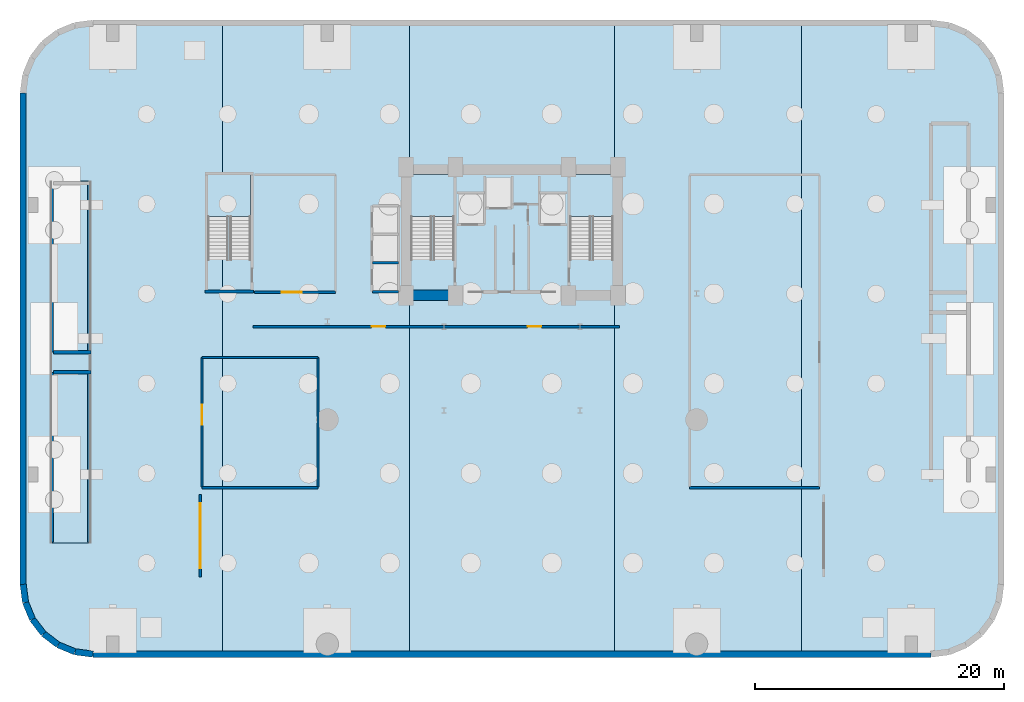
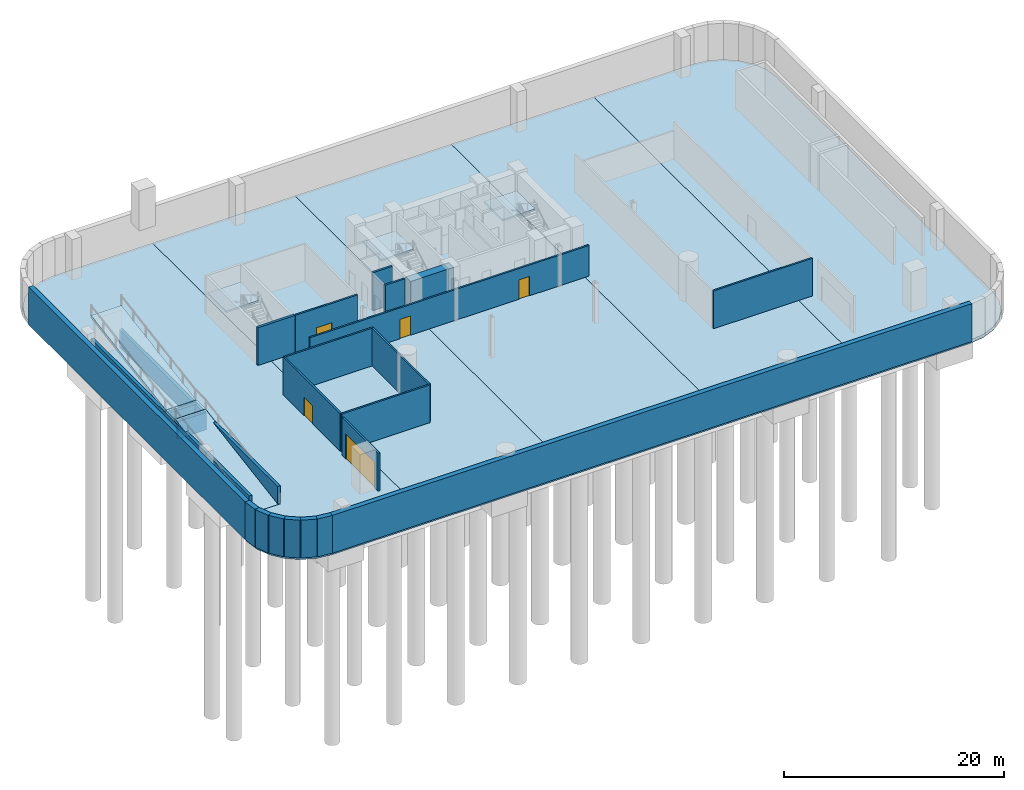
# One storey, part 2 of 8: 24 walls, 11 slabs, 5 doors, 5 openings, 3 elements without a shape of their own.
"""IFC4 building model written with IfcOpenShell, lengths in metres."""

from ifc_helpers import new_model, si_unit, direction, frame, frame_2d, origin, place, context, subcontext, project, spatial, polyline, rectangle, outline, extrude, material, layer, layer_set, type_object, element, fill, aggregate, save


model = new_model("IFC4")

# Units and contexts
model_context = context("Model", 3, precision=1e-05, world=origin(), true_north=direction((0.0, 1.0)))
body_context = subcontext(model_context, "Body", "Model", "MODEL_VIEW")
ifc_project = project(units=[si_unit("LENGTHUNIT", "METRE"), si_unit("AREAUNIT", "SQUARE_METRE"), si_unit("VOLUMEUNIT", "CUBIC_METRE"), si_unit("PLANEANGLEUNIT", "RADIAN"), si_unit("MASSUNIT", "GRAM", prefix="KILO")], contexts=[model_context])

# Site, building, storey
site_placement = place(None, origin())
site = spatial("IfcSite", under=ifc_project, at=site_placement, CompositionType="ELEMENT")
building_placement = place(site_placement, origin())
building = spatial("IfcBuilding", under=site, at=building_placement, Name="Varnelok Gate Tower", CompositionType="ELEMENT")
storey_placement = place(building_placement, frame((0.0, 0.0, -9.0)))
storey = spatial("IfcBuildingStorey", under=building, at=storey_placement, Name="B02", CompositionType="ELEMENT", Elevation=-9.0)

# Slabs
ifc_material_1 = material(Name="Concrete C50/60", Category="concrete")
ifc_layer_1 = layer(ifc_material_1, 0.35009765625)
ifc_layer_set_1 = layer_set([ifc_layer_1], Name="Concrete C50/60")
slab_type_1 = type_object("IfcSlabType", Name="SLB-BASE-350", PredefinedType="BASESLAB", material=ifc_layer_set_1)
slab_1_placement = place(storey_placement, frame((0.0, 0.0, -0.35009765625)))
element("IfcSlab", 1, at=slab_1_placement, inside=storey, type_object=slab_type_1, Name="B02 Base Slab Zone 1", PredefinedType="BASESLAB", context=body_context, shape_type="SweptSolid", body=[
    extrude(outline(polyline([(5.60009765625, 0.0), (4.150634765625, 0.19091796875), (2.800048828125, 0.750244140625), (1.64013671875, 1.64013671875), (0.750244140625, 2.800048828125), (0.19091796875, 4.150634765625), (0.0, 5.60009765625), (0.0, 45.0), (0.19091796875, 46.449462890625), (0.750244140625, 47.800048828125), (1.64013671875, 48.959716796875), (2.800048828125, 49.849609375), (4.150634765625, 50.4091796875), (5.60009765625, 50.60009765625), (16.0, 50.60009765625), (16.0, 0.0), (5.60009765625, 0.0)])), origin(), (0.0, 0.0, 1.0), 0.35009765625),
])
slab_2_placement = place(storey_placement, frame((0.0, 0.0, -0.35009765625)))
element("IfcSlab", 2, at=slab_2_placement, inside=storey, type_object=slab_type_1, Name="B02 Base Slab Zone 2", PredefinedType="BASESLAB", context=body_context, shape_type="SweptSolid", body=[
    extrude(outline(polyline([(16.0, 0.0), (16.0, 50.60009765625), (31.0, 50.60009765625), (31.0, 0.0), (16.0, 0.0)])), origin(), (0.0, 0.0, 1.0), 0.35009765625),
])
slab_3_placement = place(storey_placement, frame((0.0, 0.0, -0.35009765625)))
element("IfcSlab", 3, at=slab_3_placement, inside=storey, type_object=slab_type_1, Name="B02 Base Slab Zone 3", PredefinedType="BASESLAB", context=body_context, shape_type="SweptSolid", body=[
    extrude(outline(polyline([(31.0, 0.0), (31.0, 50.60009765625), (47.39990234375, 50.60009765625), (47.39990234375, 0.0), (31.0, 0.0)])), origin(), (0.0, 0.0, 1.0), 0.35009765625),
])
slab_4_placement = place(storey_placement, frame((0.0, 0.0, -0.35009765625)))
element("IfcSlab", 4, at=slab_4_placement, inside=storey, type_object=slab_type_1, Name="B02 Base Slab Zone 4", PredefinedType="BASESLAB", context=body_context, shape_type="SweptSolid", body=[
    extrude(outline(polyline([(47.39990234375, 0.0), (47.39990234375, 50.60009765625), (62.39990234375, 50.60009765625), (62.39990234375, 0.0), (47.39990234375, 0.0)])), origin(), (0.0, 0.0, 1.0), 0.35009765625),
])
slab_5_placement = place(storey_placement, frame((0.0, 0.0, -0.35009765625)))
element("IfcSlab", 5, at=slab_5_placement, inside=storey, type_object=slab_type_1, Name="B02 Base Slab Zone 5", PredefinedType="BASESLAB", context=body_context, shape_type="SweptSolid", body=[
    extrude(outline(polyline([(78.209228515625, 4.150634765625), (77.649658203125, 2.800048828125), (76.759765625, 1.64013671875), (75.60009765625, 0.750244140625), (74.24951171875, 0.19091796875), (72.800048828125, 0.0), (62.39990234375, 0.0), (62.39990234375, 50.60009765625), (72.800048828125, 50.60009765625), (74.24951171875, 50.4091796875), (75.60009765625, 49.849609375), (76.759765625, 48.959716796875), (77.649658203125, 47.800048828125), (78.209228515625, 46.449462890625), (78.39990234375, 45.0), (78.39990234375, 5.60009765625), (78.209228515625, 4.150634765625)])), origin(), (0.0, 0.0, 1.0), 0.35009765625),
])

# Stair, slab
stair_type = type_object("IfcStairType", Name="STR-CORE-1650", PredefinedType="HALF_TURN_STAIR", material=ifc_material_1)
stair_1_placement = place(storey_placement, origin())
stair_1 = element("IfcStair", 6, at=stair_1_placement, inside=storey, type_object=stair_type, Name="B02 Exit Stair ST-1", PredefinedType="HALF_TURN_STAIR")
ifc_material_2 = material(Name="Concrete C45/55", Category="concrete")
ifc_layer_2 = layer(ifc_material_2, 0.199951171875)
ifc_layer_set_2 = layer_set([ifc_layer_2], Name="Concrete C45/55")
slab_type_2 = type_object("IfcSlabType", Name="SLB-LAND-200", PredefinedType="LANDING", material=ifc_layer_set_2)
slab_6_placement = place(storey_placement, frame((0.0, 0.0, 2.050048828125)))
slab_6 = element("IfcSlab", 7, at=slab_6_placement, type_object=slab_type_2, Name="ST-1 landing 1", PredefinedType="LANDING", context=body_context, shape_type="SweptSolid", body=[
    extrude(outline(polyline([(34.550048828125, 35.080078125), (34.550048828125, 38.449951171875), (31.10009765625, 38.449951171875), (31.10009765625, 35.080078125), (34.550048828125, 35.080078125)])), origin(), (0.0, 0.0, 1.0), 0.199951171875),
])
aggregate(stair_1, [slab_6])

stair_2_placement = place(storey_placement, origin())
stair_2 = element("IfcStair", 8, at=stair_2_placement, inside=storey, type_object=stair_type, Name="B02 Exit Stair ST-2", PredefinedType="HALF_TURN_STAIR")
slab_7_placement = place(storey_placement, frame((0.0, 0.0, 2.050048828125)))
slab_7 = element("IfcSlab", 9, at=slab_7_placement, type_object=slab_type_2, Name="ST-2 landing 1", PredefinedType="LANDING", context=body_context, shape_type="SweptSolid", body=[
    extrude(outline(polyline([(47.300048828125, 35.080078125), (47.300048828125, 38.449951171875), (43.85009765625, 38.449951171875), (43.85009765625, 35.080078125), (47.300048828125, 35.080078125)])), origin(), (0.0, 0.0, 1.0), 0.199951171875),
])
aggregate(stair_2, [slab_7])

stair_3_placement = place(storey_placement, origin())
stair_3 = element("IfcStair", 10, at=stair_3_placement, inside=storey, type_object=stair_type, Name="B02 Podium Exit Stair ST-3", PredefinedType="HALF_TURN_STAIR")
slab_8_placement = place(storey_placement, frame((0.0, 0.0, 2.050048828125)))
slab_8 = element("IfcSlab", 11, at=slab_8_placement, type_object=slab_type_2, Name="ST-3 landing 1", PredefinedType="LANDING", context=body_context, shape_type="SweptSolid", body=[
    extrude(outline(polyline([(18.25, 35.080078125), (18.25, 38.449951171875), (14.800048828125, 38.449951171875), (14.800048828125, 35.080078125), (18.25, 35.080078125)])), origin(), (0.0, 0.0, 1.0), 0.199951171875),
])
aggregate(stair_3, [slab_8])

# Slabs
ifc_layer_3 = layer(ifc_material_1, 0.300048828125)
ifc_layer_set_3 = layer_set([ifc_layer_3], Name="Concrete C50/60")
slab_type_3 = type_object("IfcSlabType", Name="SLB-VRAMP-300", PredefinedType="LANDING", material=ifc_layer_set_3)
slab_9_placement = place(storey_placement, frame((2.199951171875, 8.919921875, 0.0), z_axis=(0.0, -0.162871298595, 0.986647323056), x_axis=(1.0, 0.0, 0.0)))
element("IfcSlab", 12, at=slab_9_placement, inside=storey, type_object=slab_type_3, Name="Car Park Vehicle Ramp VR-1 Lower Slab", PredefinedType="LANDING", context=body_context, shape_type="SweptSolid", body=[
    extrude(outline(polyline([(0.0, 0.0), (3.199951171875, 0.0), (3.199951171875, 13.814588693055779), (0.0, 13.814588693055779), (0.0, 0.0)])), origin(), (0.0, 0.0, -1.0), 0.300048828125),
])
slab_10_placement = place(storey_placement, frame((0.0, 0.0, 1.949951171875)))
element("IfcSlab", 13, at=slab_10_placement, inside=storey, type_object=slab_type_3, Name="Car Park Vehicle Ramp VR-1 Mid-Landing Slab", PredefinedType="LANDING", context=body_context, shape_type="SweptSolid", body=[
    extrude(outline(polyline([(2.14990234375, 22.580078125), (5.449951171875, 22.580078125), (5.449951171875, 24.219970703125), (2.14990234375, 24.219970703125), (2.14990234375, 22.580078125)])), origin(), (0.0, 0.0, 1.0), 0.300048828125),
])
slab_11_placement = place(storey_placement, frame((2.199951171875, 24.25, 2.25), z_axis=(0.0, -0.162874138581, 0.98664685424), x_axis=(1.0, 0.0, 0.0)))
element("IfcSlab", 14, at=slab_11_placement, inside=storey, type_object=slab_type_3, Name="Car Park Vehicle Ramp VR-1 Upper Slab", PredefinedType="LANDING", context=body_context, shape_type="SweptSolid", body=[
    extrude(outline(polyline([(0.0, 0.0), (3.199951171875, 0.0), (3.199951171875, 13.814347812418902), (0.0, 13.814347812418902), (0.0, 0.0)])), origin(), (0.0, 0.0, -1.0), 0.300048828125),
])

# Wall, openings, doors
ifc_material_3 = material(Name="Gypsum Plasterboard Acoustic Partition", Category="gypsum")
ifc_layer_4 = layer(ifc_material_3, 0.179931640625)
ifc_layer_set_4 = layer_set([ifc_layer_4], Name="Gypsum Plasterboard Acoustic Partition")
wall_type_1 = type_object("IfcWallType", Name="PW-CORR-180", PredefinedType="PARTITIONING", material=ifc_layer_set_4)
wall_1_placement = place(storey_placement, frame((18.449951171875, 26.260009765625, 0.0), z_axis=(0.0, 0.0, 1.0), x_axis=(1.0, 0.0, 0.0)))
wall_1 = element("IfcWall", 15, at=wall_1_placement, inside=storey, type_object=wall_type_1, Name="B02 Core Vestibule Wall", PredefinedType="PARTITIONING", context=body_context, shape_type="SweptSolid", body=[
    extrude(rectangle(XDim=29.35009765625, YDim=0.179931640625, at=frame_2d((14.675048828125, 0.0))), origin(), (0.0, 0.0, 1.0), 3.412109375),
])
opening_1_placement = place(wall_1_placement, frame((9.5, 0.0, 0.0)))
opening_1 = element("IfcOpeningElement", 16, at=opening_1_placement, cuts=wall_1, Name="Opening D-FF", PredefinedType="OPENING", context=body_context, shape_type="SweptSolid", body=[
    extrude(rectangle(XDim=1.10009765625, YDim=2.14990234375, at=frame_2d((0.550048828125, 1.074951171875))), frame((0.0, 0.099853515625, 0.0), z_axis=(0.0, -1.0, 0.0), x_axis=(1.0, 0.0, 0.0)), (0.0, 0.0, 1.0), 0.199951171875),
])
opening_2_placement = place(wall_1_placement, frame((22.0, 0.0, 0.0)))
opening_2 = element("IfcOpeningElement", 17, at=opening_2_placement, cuts=wall_1, Name="Opening D-FF", PredefinedType="OPENING", context=body_context, shape_type="SweptSolid", body=[
    extrude(rectangle(XDim=1.10009765625, YDim=2.14990234375, at=frame_2d((0.550048828125, 1.074951171875))), frame((0.0, 0.099853515625, 0.0), z_axis=(0.0, -1.0, 0.0), x_axis=(1.0, 0.0, 0.0)), (0.0, 0.0, 1.0), 0.199951171875),
])
ifc_material_4 = material(Name="Galvanized Steel Grade S350GD", Category="steel")
door_type_1 = type_object("IfcDoorType", Name="DR-FFLOB-1100", OperationType="NOTDEFINED", PredefinedType="DOOR", material=ifc_material_4)
door_1_placement = place(opening_1_placement, origin())
door_1 = element("IfcDoor", 18, at=door_1_placement, inside=storey, type_object=door_type_1, Name="B02 Car Park Vestibule Door 1", OperationType="SINGLE_SWING_RIGHT", OverallHeight=2.14990234375, OverallWidth=1.10009765625, PredefinedType="DOOR", context=body_context, shape_type="SweptSolid", body=[
    extrude(rectangle(XDim=1.10009765625, YDim=2.14990234375, at=frame_2d((0.550048828125, 1.074951171875))), frame((0.0, 0.02490234375, 0.0), z_axis=(0.0, -1.0, 0.0), x_axis=(1.0, 0.0, 0.0)), (0.0, 0.0, 1.0), 0.050048828125),
])
fill(opening_1, door_1)
door_2_placement = place(opening_2_placement, origin())
door_2 = element("IfcDoor", 19, at=door_2_placement, inside=storey, type_object=door_type_1, Name="B02 Car Park Vestibule Door 2", OperationType="SINGLE_SWING_LEFT", OverallHeight=2.14990234375, OverallWidth=1.10009765625, PredefinedType="DOOR", context=body_context, shape_type="SweptSolid", body=[
    extrude(rectangle(XDim=1.10009765625, YDim=2.14990234375, at=frame_2d((0.550048828125, 1.074951171875))), frame((0.0, 0.02490234375, 0.0), z_axis=(0.0, -1.0, 0.0), x_axis=(1.0, 0.0, 0.0)), (0.0, 0.0, 1.0), 0.050048828125),
])
fill(opening_2, door_2)

# Wall, opening, door
wall_2_placement = place(storey_placement, frame((14.35009765625, 13.39990234375, 0.0), z_axis=(0.0, 0.0, 1.0), x_axis=(0.0, 1.0, 0.0)))
wall_2 = element("IfcWall", 20, at=wall_2_placement, inside=storey, type_object=wall_type_1, Name="Interior Partition", PredefinedType="PARTITIONING", context=body_context, shape_type="SweptSolid", body=[
    extrude(rectangle(XDim=10.380126953125, YDim=0.179931640625, at=frame_2d((5.18994140625, 0.0))), origin(), (0.0, 0.0, 1.0), 4.199951171875),
])
opening_3_placement = place(wall_2_placement, frame((5.0, 0.0, 0.0)))
opening_3 = element("IfcOpeningElement", 21, at=opening_3_placement, cuts=wall_2, Name="Opening D-PL", PredefinedType="OPENING", context=body_context, shape_type="SweptSolid", body=[
    extrude(rectangle(XDim=1.60009765625, YDim=2.050048828125, at=frame_2d((0.800048828125, 1.02490234375))), frame((0.0, 0.099853515625, 0.0), z_axis=(0.0, -1.0, 0.0), x_axis=(1.0, 0.0, 0.0)), (0.0, 0.0, 1.0), 0.199951171875),
])
door_type_2 = type_object("IfcDoorType", Name="DR-PLANT-1600", OperationType="DOUBLE_DOOR_SINGLE_SWING", PredefinedType="DOOR", material=ifc_material_4)
door_3_placement = place(opening_3_placement, origin())
door_3 = element("IfcDoor", 22, at=door_3_placement, inside=storey, type_object=door_type_2, Name="B02 Water Tank Plant Door", OperationType="DOUBLE_DOOR_SINGLE_SWING", OverallHeight=2.050048828125, OverallWidth=1.60009765625, PredefinedType="DOOR", context=body_context, shape_type="SweptSolid", body=[
    extrude(rectangle(XDim=1.60009765625, YDim=2.050048828125, at=frame_2d((0.800048828125, 1.02490234375))), frame((0.0, 0.02490234375, 0.0), z_axis=(0.0, -1.0, 0.0), x_axis=(1.0, 0.0, 0.0)), (0.0, 0.0, 1.0), 0.050048828125),
])
fill(opening_3, door_3)

# Walls
wall_3_placement = place(storey_placement, frame((23.64990234375, 13.39990234375, 0.0), z_axis=(0.0, 0.0, 1.0), x_axis=(0.0, 1.0, 0.0)))
element("IfcWall", 23, at=wall_3_placement, inside=storey, type_object=wall_type_1, Name="Interior Partition", PredefinedType="PARTITIONING", context=body_context, shape_type="SweptSolid", body=[
    extrude(rectangle(XDim=10.380126953125, YDim=0.179931640625, at=frame_2d((5.18994140625, 0.0))), origin(), (0.0, 0.0, 1.0), 4.199951171875),
])
for number, where, z_axis, x_axis, name in (
    (24, (14.35009765625, 13.35009765625, 0.0), (0.0, 0.0, 1.0), (1.0, 0.0, 0.0), "Interior Partition"),
    (25, (14.35009765625, 23.780029296875, 0.0), (0.0, 0.0, 1.0), (1.0, 0.0, 0.0), "Interior Partition"),
):
    element("IfcWall", number, at=place(storey_placement, frame(where, z_axis=z_axis, x_axis=x_axis)), inside=storey, type_object=wall_type_1, Name=name, PredefinedType="PARTITIONING", context=body_context, shape_type="SweptSolid", body=[
        extrude(rectangle(XDim=9.2998046875, YDim=0.179931640625, at=frame_2d((4.64990234375, 0.0))), origin(), (0.0, 0.0, 1.0), 4.199951171875),
    ])

# Wall, opening, door
wall_4_placement = place(storey_placement, frame((18.550048828125, 29.02001953125, 0.0), z_axis=(0.0, 0.0, 1.0), x_axis=(1.0, 0.0, 0.0)))
wall_4 = element("IfcWall", 26, at=wall_4_placement, inside=storey, type_object=wall_type_1, Name="Interior Partition", PredefinedType="PARTITIONING", context=body_context, shape_type="SweptSolid", body=[
    extrude(rectangle(XDim=6.5, YDim=0.179931640625, at=frame_2d((3.25, 0.0))), origin(), (0.0, 0.0, 1.0), 4.199951171875),
])
opening_4_placement = place(wall_4_placement, frame((2.199951171875, 0.0, 0.0)))
opening_4 = element("IfcOpeningElement", 27, at=opening_4_placement, cuts=wall_4, Name="Opening D-PL", PredefinedType="OPENING", context=body_context, shape_type="SweptSolid", body=[
    extrude(rectangle(XDim=1.60009765625, YDim=2.050048828125, at=frame_2d((0.800048828125, 1.02490234375))), frame((0.0, 0.099853515625, 0.0), z_axis=(0.0, -1.0, 0.0), x_axis=(1.0, 0.0, 0.0)), (0.0, 0.0, 1.0), 0.199951171875),
])
door_4_placement = place(opening_4_placement, origin())
door_4 = element("IfcDoor", 28, at=door_4_placement, inside=storey, type_object=door_type_2, Name="B02 Fire Pump Room Door", OperationType="DOUBLE_DOOR_SINGLE_SWING", OverallHeight=2.050048828125, OverallWidth=1.60009765625, PredefinedType="DOOR", context=body_context, shape_type="SweptSolid", body=[
    extrude(rectangle(XDim=1.60009765625, YDim=2.050048828125, at=frame_2d((0.800048828125, 1.02490234375))), frame((0.0, 0.02490234375, 0.0), z_axis=(0.0, -1.0, 0.0), x_axis=(1.0, 0.0, 0.0)), (0.0, 0.0, 1.0), 0.050048828125),
])
fill(opening_4, door_4)

# Wall
wall_5_placement = place(storey_placement, frame((53.449951171875, 13.35009765625, 0.0), z_axis=(0.0, 0.0, 1.0), x_axis=(1.0, 0.0, 0.0)))
element("IfcWall", 29, at=wall_5_placement, inside=storey, type_object=wall_type_1, Name="Interior Partition", PredefinedType="PARTITIONING", context=body_context, shape_type="SweptSolid", body=[
    extrude(rectangle(XDim=10.400146484375, YDim=0.179931640625, at=frame_2d((5.2001953125, 0.0))), origin(), (0.0, 0.0, 1.0), 4.199951171875),
])

# Wall, opening, door
ifc_material_5 = material(Name="Concrete C35/45", Category="concrete")
ifc_layer_5 = layer(ifc_material_5, 0.199951171875)
ifc_layer_set_5 = layer_set([ifc_layer_5], Name="Concrete C35/45")
wall_type_2 = type_object("IfcWallType", Name="PW-SHAFT-200", PredefinedType="PARTITIONING", material=ifc_layer_set_5)
wall_6_placement = place(storey_placement, frame((14.199951171875, 6.199951171875, 0.0), z_axis=(0.0, 0.0, 1.0), x_axis=(0.0, 1.0, 0.0)))
wall_6 = element("IfcWall", 30, at=wall_6_placement, inside=storey, type_object=wall_type_2, Name="B02 Car Park Fire Zone Barrier 1", PredefinedType="PARTITIONING", context=body_context, shape_type="SweptSolid", body=[
    extrude(rectangle(XDim=6.60009765625, YDim=0.199951171875, at=frame_2d((3.300048828125, 0.0))), origin(), (0.0, 0.0, 1.0), 4.199951171875),
])
opening_5_placement = place(wall_6_placement, frame((0.699951171875, 0.0, 0.0)))
opening_5 = element("IfcOpeningElement", 31, at=opening_5_placement, cuts=wall_6, Name="Opening VG-2", PredefinedType="OPENING", context=body_context, shape_type="SweptSolid", body=[
    extrude(rectangle(XDim=5.199951171875, YDim=2.800048828125, at=frame_2d((2.60009765625, 1.39990234375))), frame((0.0, 0.10986328125, 0.0), z_axis=(0.0, -1.0, 0.0), x_axis=(1.0, 0.0, 0.0)), (0.0, 0.0, 1.0), 0.219970703125),
])
door_type_3 = type_object("IfcDoorType", Name="DR-GATE-5200", OperationType="SLIDING_TO_LEFT", PredefinedType="GATE", material=ifc_material_4)
door_5_placement = place(opening_5_placement, origin())
door_5 = element("IfcDoor", 32, at=door_5_placement, inside=storey, type_object=door_type_3, Name="B02 Car Park Fire Zone Gate", OperationType="SLIDING_TO_LEFT", OverallHeight=2.800048828125, OverallWidth=5.199951171875, PredefinedType="GATE", context=body_context, shape_type="SweptSolid", body=[
    extrude(rectangle(XDim=5.199951171875, YDim=2.800048828125, at=frame_2d((2.60009765625, 1.39990234375))), frame((0.0, 0.02490234375, 0.0), z_axis=(0.0, -1.0, 0.0), x_axis=(1.0, 0.0, 0.0)), (0.0, 0.0, 1.0), 0.050048828125),
])
fill(opening_5, door_5)

# Walls
wall_7_placement = place(storey_placement, frame((28.02001953125, 31.375, 0.0), z_axis=(0.0, 0.0, 1.0), x_axis=(1.0, 0.0, 0.0)))
element("IfcWall", 33, at=wall_7_placement, inside=storey, type_object=wall_type_2, Name="B02 PL1 Divider", PredefinedType="PARTITIONING", context=body_context, shape_type="SweptSolid", body=[
    extrude(rectangle(XDim=2.06005859375, YDim=0.199951171875, at=frame_2d((1.030029296875, 0.0))), origin(), (0.0, 0.0, 1.0), 4.199951171875),
])
wall_8_placement = place(storey_placement, frame((28.0, 29.080078125, 0.0), z_axis=(0.0, 0.0, 1.0), x_axis=(1.0, 0.0, 0.0)))
element("IfcWall", 34, at=wall_8_placement, inside=storey, type_object=wall_type_2, Name="B02 PL Bank South Wall", PredefinedType="PARTITIONING", context=body_context, shape_type="SweptSolid", body=[
    extrude(rectangle(XDim=2.10009765625, YDim=0.199951171875, at=frame_2d((1.050048828125, 0.0))), origin(), (0.0, 0.0, 1.0), 4.199951171875),
])
ifc_material_6 = material(Name="Concrete C70/85", Category="concrete")
ifc_layer_6 = layer(ifc_material_6, 0.85009765625)
ifc_layer_set_6 = layer_set([ifc_layer_6], Name="Concrete C70/85")
wall_type_3 = type_object("IfcWallType", Name="SW-CORE-850", PredefinedType="SHEAR", material=ifc_layer_set_6)
wall_9_placement = place(storey_placement, frame((30.280029296875, 28.77490234375, 0.0), z_axis=(0.0, 0.0, 1.0), x_axis=(1.0, 0.0, 0.0)))
element("IfcWall", 35, at=wall_9_placement, inside=storey, type_object=wall_type_3, Name="B02 Rear Core South-West Shear Wall", PredefinedType="SHEAR", context=body_context, shape_type="SweptSolid", body=[
    extrude(rectangle(XDim=4.52001953125, YDim=0.85009765625, at=frame_2d((2.260009765625, 0.0))), origin(), (0.0, 0.0, 1.0), 4.199951171875),
])
ifc_layer_7 = layer(ifc_material_1, 0.5)
ifc_layer_set_7 = layer_set([ifc_layer_7], Name="Concrete C50/60")
wall_type_4 = type_object("IfcWallType", Name="SW-RET-500", PredefinedType="SOLIDWALL", material=ifc_layer_set_7)
wall_10_placement = place(storey_placement, frame((0.0, 5.60009765625, 0.0), z_axis=(0.0, 0.0, 1.0), x_axis=(0.0, 1.0, 0.0)))
element("IfcWall", 36, at=wall_10_placement, inside=storey, type_object=wall_type_4, Name="B02 Perimeter Retaining Wall 1", PredefinedType="SOLIDWALL", context=body_context, shape_type="SweptSolid", body=[
    extrude(rectangle(XDim=39.39990234375, YDim=0.5, at=frame_2d((19.699951171875, 0.0))), origin(), (0.0, 0.0, 1.0), 4.199951171875),
])
for number, where, z_axis, x_axis, name in (
    (37, (0.19091796875, 4.150634765625, 0.0), (0.0, 0.0, 1.0), (-0.130588423975, 0.991436666421, 0.0), "B02 Perimeter Retaining Wall 2"),
    (38, (0.750244140625, 2.800048828125, 0.0), (0.0, 0.0, 1.0), (-0.382622215492, 0.923904886994, 0.0), "B02 Perimeter Retaining Wall 3"),
    (39, (1.64013671875, 1.64013671875, 0.0), (0.0, 0.0, 1.0), (-0.608701460465, 0.793399352173, 0.0), "B02 Perimeter Retaining Wall 4"),
    (40, (2.800048828125, 0.750244140625, 0.0), (0.0, 0.0, 1.0), (-0.793399352173, 0.608701460465, 0.0), "B02 Perimeter Retaining Wall 5"),
    (41, (4.150634765625, 0.19091796875, 0.0), (0.0, 0.0, 1.0), (-0.923904886994, 0.382622215492, 0.0), "B02 Perimeter Retaining Wall 6"),
    (42, (5.60009765625, 0.0, 0.0), (0.0, 0.0, 1.0), (-0.991436666421, 0.130588423975, 0.0), "B02 Perimeter Retaining Wall 7"),
):
    element("IfcWall", number, at=place(storey_placement, frame(where, z_axis=z_axis, x_axis=x_axis)), inside=storey, type_object=wall_type_4, Name=name, PredefinedType="SOLIDWALL", context=body_context, shape_type="SweptSolid", body=[
        extrude(rectangle(XDim=1.4619140625, YDim=0.5, at=frame_2d((0.73095703125, 0.0))), origin(), (0.0, 0.0, 1.0), 4.199951171875),
    ])
wall_11_placement = place(storey_placement, frame((72.800048828125, 0.0, 0.0), z_axis=(0.0, 0.0, 1.0), x_axis=(-1.0, 0.0, 0.0)))
element("IfcWall", 43, at=wall_11_placement, inside=storey, type_object=wall_type_4, Name="B02 Perimeter Retaining Wall 8", PredefinedType="SOLIDWALL", context=body_context, shape_type="SweptSolid", body=[
    extrude(rectangle(XDim=67.199951171875, YDim=0.5, at=frame_2d((33.60009765625, 0.0))), origin(), (0.0, 0.0, 1.0), 4.199951171875),
])
ifc_material_7 = material(Name="Concrete C60/75", Category="concrete")
ifc_layer_8 = layer(ifc_material_7, 0.25)
ifc_layer_set_8 = layer_set([ifc_layer_8], Name="Concrete C60/75")
wall_type_5 = type_object("IfcWallType", Name="SW-SHAFT-250", PredefinedType="SHEAR", material=ifc_layer_set_8)
wall_12_placement = place(storey_placement, frame((14.580078125, 29.074951171875, 0.0), z_axis=(0.0, 0.0, 1.0), x_axis=(1.0, 0.0, 0.0)))
element("IfcWall", 44, at=wall_12_placement, inside=storey, type_object=wall_type_5, Name="B02 Stair ST-3 South Shear Wall", PredefinedType="SHEAR", context=body_context, shape_type="SweptSolid", body=[
    extrude(rectangle(XDim=3.889892578125, YDim=0.25, at=frame_2d((1.94482421875, 0.0))), origin(), (0.0, 0.0, 1.0), 4.199951171875),
])
ifc_layer_9 = layer(ifc_material_7, 0.300048828125)
ifc_layer_set_9 = layer_set([ifc_layer_9], Name="Concrete C60/75")
wall_type_6 = type_object("IfcWallType", Name="SW-SHAFT-300", PredefinedType="SHEAR", material=ifc_layer_set_9)
for number, where, z_axis, x_axis, name in (
    (45, (2.449951171875, 22.60009765625, 0.0), (0.0, 0.0, 1.0), (1.0, 0.0, 0.0), "B02 Vehicle Ramp Mid-Landing Support Wall 1"),
    (46, (2.449951171875, 24.199951171875, 0.0), (0.0, 0.0, 1.0), (1.0, 0.0, 0.0), "B02 Vehicle Ramp Mid-Landing Support Wall 2"),
):
    element("IfcWall", number, at=place(storey_placement, frame(where, z_axis=z_axis, x_axis=x_axis)), inside=storey, type_object=wall_type_6, Name=name, PredefinedType="SHEAR", context=body_context, shape_type="SweptSolid", body=[
        extrude(rectangle(XDim=3.0, YDim=0.300048828125, at=frame_2d((1.5, 0.0))), origin(), (0.0, 0.0, 1.0), 1.949951171875),
    ])
for number, where, z_axis, x_axis, name in (
    (47, (2.300048828125, 9.0, 0.0), (0.0, 0.0, 1.0), (0.0, 1.0, 0.0), "B02 Vehicle Ramp West Flank Support Wall"),
    (48, (5.300048828125, 9.0, 0.0), (0.0, 0.0, 1.0), (0.0, 1.0, 0.0), "B02 Vehicle Ramp East Flank Support Wall"),
):
    element("IfcWall", number, at=place(storey_placement, frame(where, z_axis=z_axis, x_axis=x_axis)), inside=storey, type_object=wall_type_6, Name=name, PredefinedType="SHEAR", context=body_context, shape_type="SweptSolid", body=[
        extrude(rectangle(XDim=28.800048828125, YDim=0.300048828125, at=frame_2d((14.39990234375, 0.0))), origin(), (0.0, 0.0, 1.0), 1.949951171875),
    ])

save(model, "model.ifc")
